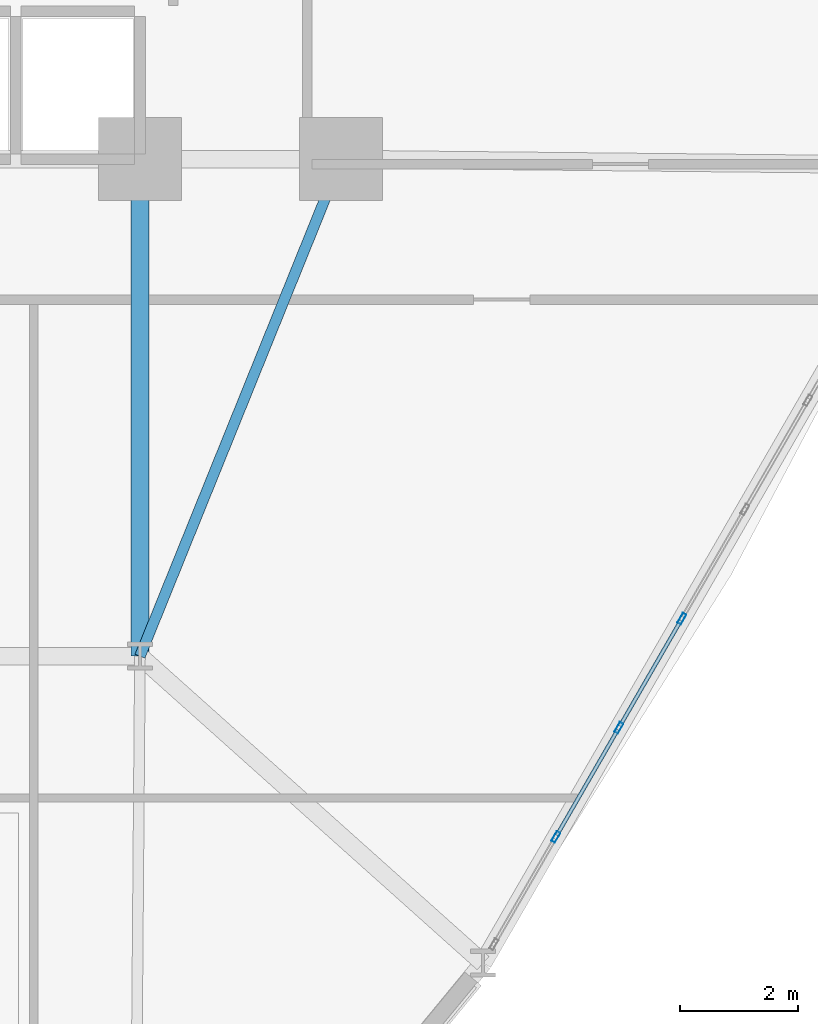
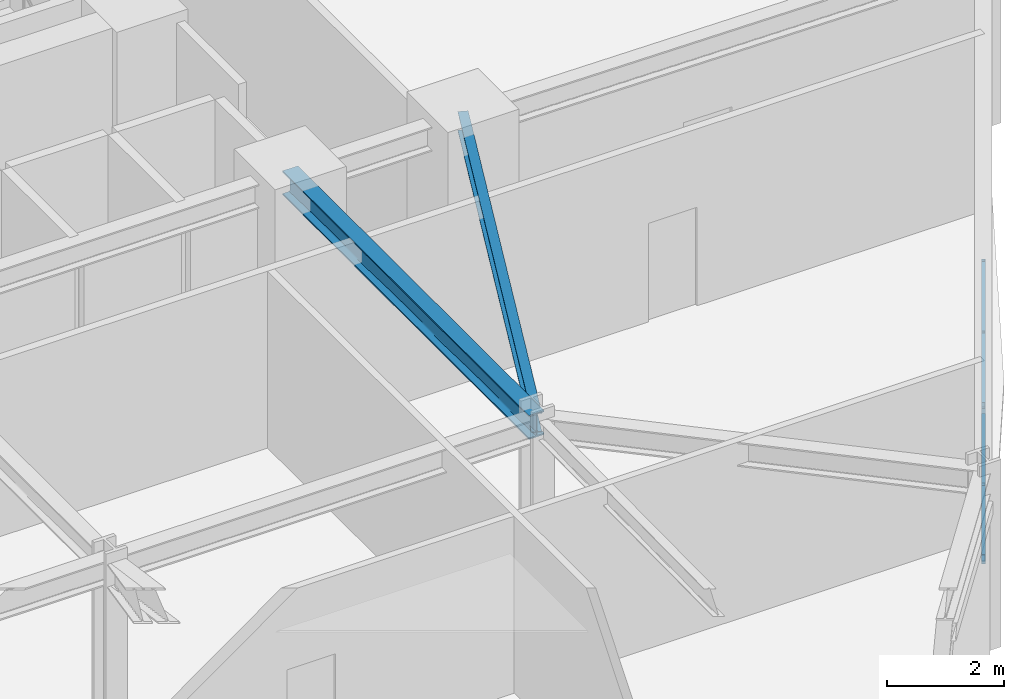
# One storey, part 7 of 22: 7 members, 2 beams, 1 element without a shape of its own.
"""IFC4 building model written with IfcOpenShell, lengths in metres."""

from ifc_helpers import new_model, si_unit, derived_unit, direction, frame, origin, origin_2d, place, context, subcontext, project, spatial, hollow_rectangle, i_section, extrude, source, transform, mapped, material, layer, layer_set, material_profile, profile_set, type_object, element, aggregate, save


model = new_model("IFC4")

# Units and contexts
model_context = context("Model", 3, precision=1e-05, world=origin(), true_north=direction((0.0, 1.0)))
body_context = subcontext(model_context, "Body", "Model", "MODEL_VIEW")
ifc_project = project(units=[si_unit("LENGTHUNIT", "METRE"), si_unit("AREAUNIT", "SQUARE_METRE"), si_unit("VOLUMEUNIT", "CUBIC_METRE"), si_unit("PLANEANGLEUNIT", "RADIAN"), si_unit("MASSUNIT", "GRAM", prefix="KILO"), derived_unit("THERMALTRANSMITTANCEUNIT", [(si_unit("POWERUNIT", "WATT"), 1), (si_unit("LENGTHUNIT", "METRE"), -2), (si_unit("THERMODYNAMICTEMPERATUREUNIT", "KELVIN"), -1)])], contexts=[model_context])

# Site, building, storey
site_placement = place(None, origin())
site = spatial("IfcSite", under=ifc_project, at=site_placement, CompositionType="ELEMENT")
building_placement = place(site_placement, origin())
building = spatial("IfcBuilding", under=site, at=building_placement, Name="Korsvarv Bourse and Concert Hall", CompositionType="ELEMENT")
storey_placement = place(building_placement, frame((0.0, 0.0, 47.39990234375)))
storey = spatial("IfcBuildingStorey", under=building, at=storey_placement, Name="L11", CompositionType="ELEMENT", Elevation=47.39990234375)

# Beams
ifc_material_1 = material(Name="Steel S355", Category="steel")
ifc_material_profile_1 = material_profile(ifc_material_1, i_section(OverallWidth=0.300048828125, OverallDepth=0.5, WebThickness=0.014404296875, FlangeThickness=0.028076171875, FilletRadius=0.02392578125, at=origin_2d()), Name="HEB 500")
ifc_profile_set_1 = profile_set([ifc_material_profile_1], Name="Steel S355")
beam_type_1 = type_object("IfcBeamType", Name="BM-HEB500", PredefinedType="BEAM", material=ifc_profile_set_1)
shared_shape_1 = source(origin(), body_context, "Body", "SweptSolid", [
    extrude(i_section(OverallWidth=0.300048828125, OverallDepth=0.5, WebThickness=0.014404296875, FlangeThickness=0.028076171875, FilletRadius=0.02392578125, at=origin_2d()), origin(), (0.0, 0.0, 1.0), 8.39990234375),
])
beam_1_placement = place(storey_placement, frame((44.39990234375, 24.0, 3.43017578125), z_axis=(0.0, 1.0, 0.0), x_axis=(-1.0, 0.0, 0.0)))
element("IfcBeam", 1, at=beam_1_placement, inside=storey, type_object=beam_type_1, Name="L11 beam B-07", PredefinedType="BEAM", context=body_context, shape_type="MappedRepresentation", body=[
    mapped(shared_shape_1, transform((0.0, 0.0, 0.0), scale=1.0)),
])
ifc_material_profile_2 = material_profile(ifc_material_1, i_section(OverallWidth=0.179931640625, OverallDepth=0.39990234375, WebThickness=0.008544921875, FlangeThickness=0.013427734375, FilletRadius=0.02099609375, at=origin_2d()), Name="IPE 400")
ifc_profile_set_2 = profile_set([ifc_material_profile_2], Name="Steel S355")
beam_type_2 = type_object("IfcBeamType", Name="BM-IPE400", PredefinedType="JOIST", material=ifc_profile_set_2)
shared_shape_2 = source(origin(), body_context, "Body", "SweptSolid", [
    extrude(i_section(OverallWidth=0.179931640625, OverallDepth=0.39990234375, WebThickness=0.008544921875, FlangeThickness=0.013427734375, FilletRadius=0.02099609375, at=origin_2d()), origin(), (0.0, 0.0, 1.0), 9.06201171875),
])
beam_2_placement = place(storey_placement, frame((47.800048828125, 32.39990234375, 3.47998046875), z_axis=(-0.375210394783, -0.926939674222, 0.0), x_axis=(0.926939674222, -0.375210394783, 0.0)))
element("IfcBeam", 2, at=beam_2_placement, inside=storey, type_object=beam_type_2, Name="L11 beam J-05", PredefinedType="JOIST", context=body_context, shape_type="MappedRepresentation", body=[
    mapped(shared_shape_2, transform((0.0, 0.0, 0.0), scale=1.0)),
])

# Curtain wall, members
ifc_material_2 = material(Name="Anodised aluminium and triple low-E glazing", Category="glass")
ifc_layer = layer(ifc_material_2, 0.219970703125)
ifc_layer_set = layer_set([ifc_layer], Name="Anodised aluminium and triple low-E glazing")
curtain_wall_type = type_object("IfcCurtainWallType", Name="CW-SYS-1", PredefinedType="NOTDEFINED", material=ifc_layer_set)
curtain_wall_placement = place(storey_placement, origin())
curtain_wall = element("IfcCurtainWall", 3, at=curtain_wall_placement, inside=storey, type_object=curtain_wall_type, Name="L11 CW1 curtain wall CW-L11-F11", PredefinedType="NOTDEFINED")
ifc_material_3 = material(Name="Extruded aluminium EN AW-6063 T66", Category="aluminium")
ifc_material_profile_3 = material_profile(ifc_material_3, hollow_rectangle(XDim=0.070068359375, YDim=0.18994140625, WallThickness=0.0048828125, at=origin_2d()), Name="ALU-M 70x190")
ifc_profile_set_3 = profile_set([ifc_material_profile_3], Name="Extruded aluminium EN AW-6063 T66")
member_type_1 = type_object("IfcMemberType", Name="CWM-190", PredefinedType="MULLION", material=ifc_profile_set_3)
shared_shape_3 = source(origin(), body_context, "Body", "SweptSolid", [
    extrude(hollow_rectangle(XDim=0.070068359375, YDim=0.18994140625, WallThickness=0.0048828125, at=origin_2d()), origin(), (0.0, 0.0, 1.0), 3.22998046875),
])
member_1_placement = place(storey_placement, frame((51.428955078125, 20.94482421875, 0.0), z_axis=(0.0, 0.0, 1.0), x_axis=(-0.866025499647, 0.499999833962, 0.0)))
member_1 = element("IfcMember", 4, at=member_1_placement, type_object=member_type_1, Name="CW1 mullion 2", PredefinedType="MULLION", context=body_context, shape_type="MappedRepresentation", body=[
    mapped(shared_shape_3, transform((0.0, 0.0, 0.0), scale=1.0)),
])
member_2_placement = place(storey_placement, frame((52.49365234375, 22.788818359375, 0.0), z_axis=(0.0, 0.0, 1.0), x_axis=(-0.866025499647, 0.499999833962, 0.0)))
member_2 = element("IfcMember", 5, at=member_2_placement, type_object=member_type_1, Name="CW1 mullion 3", PredefinedType="MULLION", context=body_context, shape_type="MappedRepresentation", body=[
    mapped(shared_shape_3, transform((0.0, 0.0, 0.0), scale=1.0)),
])
member_3_placement = place(storey_placement, frame((53.558349609375, 24.633056640625, 0.0), z_axis=(0.0, 0.0, 1.0), x_axis=(-0.866025499647, 0.499999833962, 0.0)))
member_3 = element("IfcMember", 6, at=member_3_placement, type_object=member_type_1, Name="CW1 mullion 4", PredefinedType="MULLION", context=body_context, shape_type="MappedRepresentation", body=[
    mapped(shared_shape_3, transform((0.0, 0.0, 0.0), scale=1.0)),
])
ifc_material_profile_4 = material_profile(ifc_material_3, hollow_rectangle(XDim=0.06494140625, YDim=0.139892578125, WallThickness=0.00390625, at=origin_2d()), Name="ALU-T 65x140")
ifc_profile_set_4 = profile_set([ifc_material_profile_4], Name="Extruded aluminium EN AW-6063 T66")
member_type_2 = type_object("IfcMemberType", Name="CWT-140", PredefinedType="USERDEFINED", material=ifc_profile_set_4)
shared_shape_4 = source(origin(), body_context, "Body", "SweptSolid", [
    extrude(hollow_rectangle(XDim=0.06494140625, YDim=0.139892578125, WallThickness=0.00390625, at=origin_2d()), origin(), (0.0, 0.0, 1.0), 2.059326171875),
])
member_4_placement = place(storey_placement, frame((51.446533203125, 20.97509765625, 0.03271484375), z_axis=(0.500040568494, 0.866001980287, 0.0), x_axis=(-0.866001980287, 0.500040568494, 0.0)))
member_4 = element("IfcMember", 7, at=member_4_placement, type_object=member_type_2, Name="CW1 transom 2.1", ObjectType="TRANSOM", PredefinedType="USERDEFINED", context=body_context, shape_type="MappedRepresentation", body=[
    mapped(shared_shape_4, transform((0.0, 0.0, 0.0), scale=1.0)),
])
member_5_placement = place(storey_placement, frame((51.446533203125, 20.97509765625, 3.197509765625), z_axis=(0.500040568494, 0.866001980287, 0.0), x_axis=(-0.866001980287, 0.500040568494, 0.0)))
member_5 = element("IfcMember", 8, at=member_5_placement, type_object=member_type_2, Name="CW1 transom 2.2", ObjectType="TRANSOM", PredefinedType="USERDEFINED", context=body_context, shape_type="MappedRepresentation", body=[
    mapped(shared_shape_4, transform((0.0, 0.0, 0.0), scale=1.0)),
])
member_6_placement = place(storey_placement, frame((52.51123046875, 22.8193359375, 0.03271484375), z_axis=(0.500040568494, 0.866001980287, 0.0), x_axis=(-0.866001980287, 0.500040568494, 0.0)))
member_6 = element("IfcMember", 9, at=member_6_placement, type_object=member_type_2, Name="CW1 transom 3.1", ObjectType="TRANSOM", PredefinedType="USERDEFINED", context=body_context, shape_type="MappedRepresentation", body=[
    mapped(shared_shape_4, transform((0.0, 0.0, 0.0), scale=1.0)),
])
member_7_placement = place(storey_placement, frame((52.51123046875, 22.8193359375, 3.197509765625), z_axis=(0.500040568494, 0.866001980287, 0.0), x_axis=(-0.866001980287, 0.500040568494, 0.0)))
member_7 = element("IfcMember", 10, at=member_7_placement, type_object=member_type_2, Name="CW1 transom 3.2", ObjectType="TRANSOM", PredefinedType="USERDEFINED", context=body_context, shape_type="MappedRepresentation", body=[
    mapped(shared_shape_4, transform((0.0, 0.0, 0.0), scale=1.0)),
])
aggregate(curtain_wall, [member_1, member_2, member_3, member_4, member_5, member_6, member_7])

save(model, "model.ifc")
